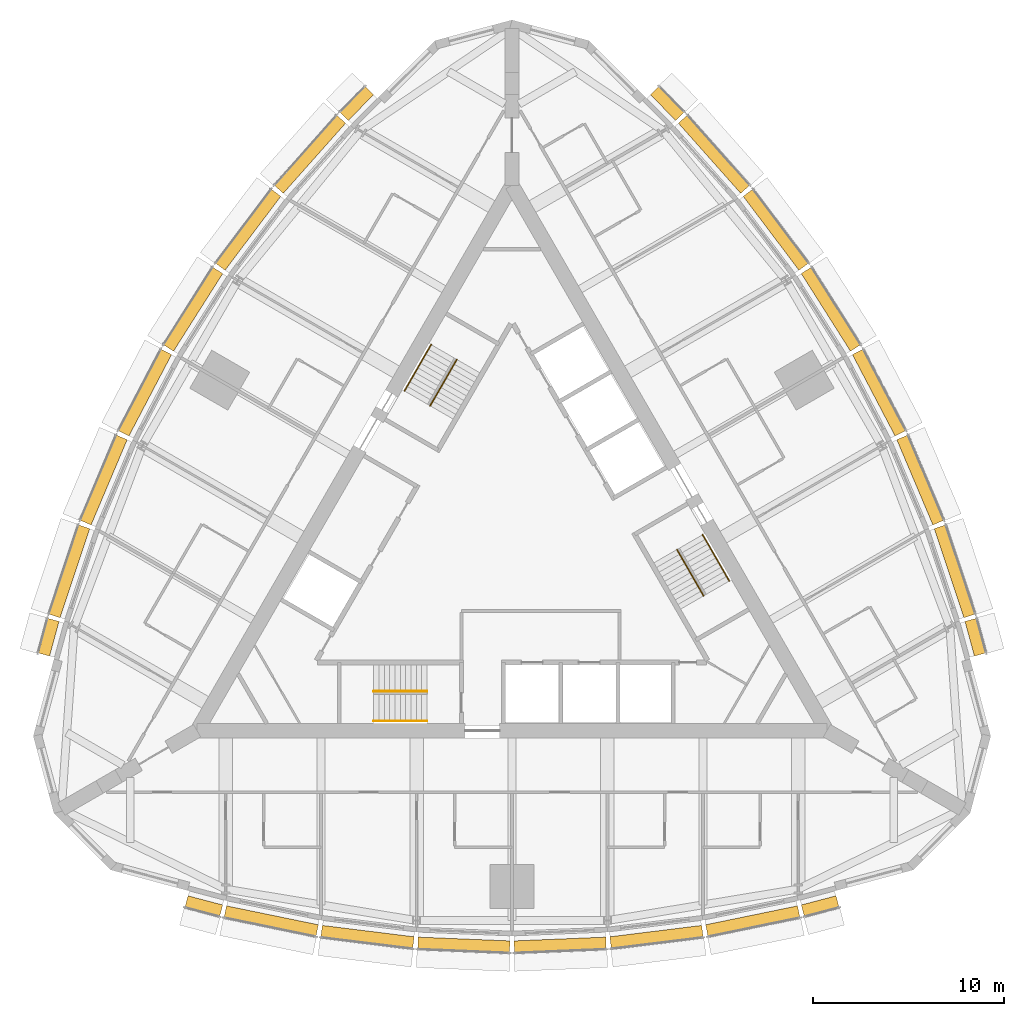
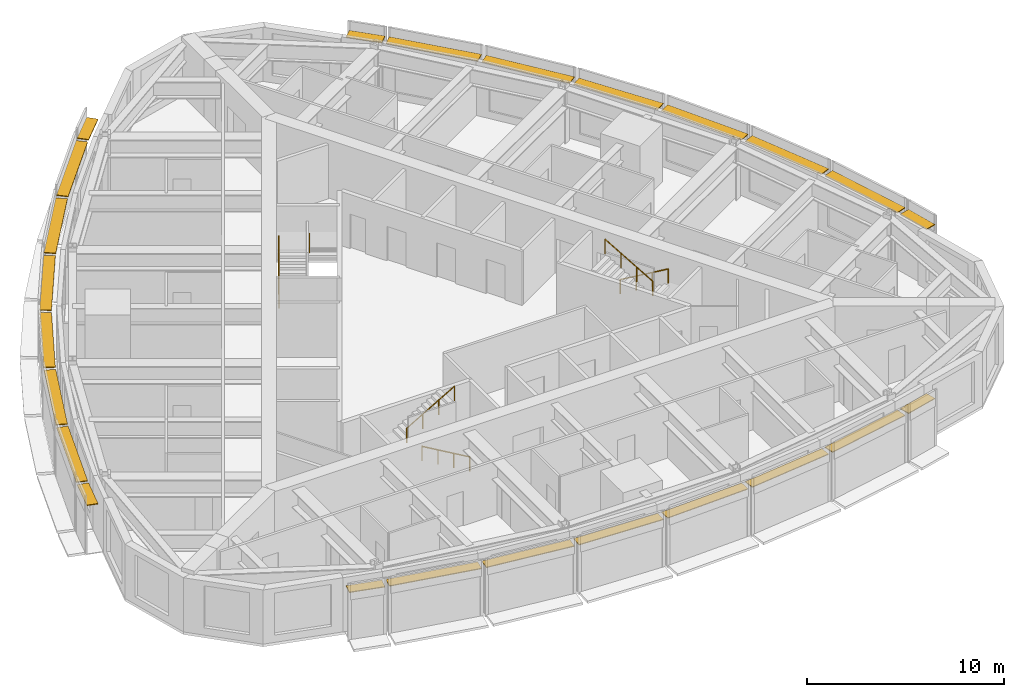
# One storey, part 15 of 15: 24 shading devices, 6 railings.
"""IFC4 building model written with IfcOpenShell, lengths in metres."""

from ifc_helpers import new_model, si_unit, direction, frame, origin, origin_2d, place, context, subcontext, project, spatial, rectangle, circle, extrude, material, type_object, element, save


model = new_model("IFC4")

# Units and contexts
model_context = context("Model", 3, precision=1e-05, world=origin(), true_north=direction((0.0, 1.0)))
body_context = subcontext(model_context, "Body", "Model", "MODEL_VIEW")
ifc_project = project(units=[si_unit("LENGTHUNIT", "METRE"), si_unit("AREAUNIT", "SQUARE_METRE"), si_unit("VOLUMEUNIT", "CUBIC_METRE"), si_unit("PLANEANGLEUNIT", "RADIAN"), si_unit("MASSUNIT", "GRAM", prefix="KILO")], contexts=[model_context])

# Site, building, storey
site_placement = place(None, origin())
site = spatial("IfcSite", under=ifc_project, at=site_placement, CompositionType="ELEMENT")
building_placement = place(site_placement, origin())
building = spatial("IfcBuilding", under=site, at=building_placement, Name="Trikona Tower", CompositionType="ELEMENT")
storey_placement = place(building_placement, frame((0.0, 0.0, 229.699951171875)))
storey = spatial("IfcBuildingStorey", under=building, at=storey_placement, Name="L61", CompositionType="ELEMENT", Elevation=229.699951171875)

# Shading devices
ifc_material_1 = material(Name="Aluminium louvre blade, pale anodised", Category="aluminium")
shading_device_type = type_object("IfcShadingDeviceType", Name="Cavity louvre 600", PredefinedType="USERDEFINED", material=ifc_material_1)
shading_device_1_placement = place(storey_placement, frame((-16.14404296875, -18.707763671875, 2.97509765625), z_axis=(0.0, 0.0, 1.0), x_axis=(0.966993038714, -0.254802792527, 0.0)))
element("IfcShadingDevice", 1, at=shading_device_1_placement, inside=storey, type_object=shading_device_type, Name="Cavity louvre L61-00", ObjectType="LOUVRE", PredefinedType="USERDEFINED", context=body_context, shape_type="SweptSolid", body=[
    extrude(rectangle(XDim=1.87841796875, YDim=0.60009765625, at=origin_2d()), origin(), (0.0, 0.0, 1.0), 0.050048828125),
])
shading_device_2_placement = place(storey_placement, frame((-12.614013671875, -19.492919921875, 2.97509765625), z_axis=(0.0, 0.0, 1.0), x_axis=(0.979457514864, -0.201650629992, 0.0)))
element("IfcShadingDevice", 2, at=shading_device_2_placement, inside=storey, type_object=shading_device_type, Name="Cavity louvre L61-01", ObjectType="LOUVRE", PredefinedType="USERDEFINED", context=body_context, shape_type="SweptSolid", body=[
    extrude(rectangle(XDim=4.914794921875, YDim=0.60009765625, at=origin_2d()), origin(), (0.0, 0.0, 1.0), 0.050048828125),
])
shading_device_3_placement = place(storey_placement, frame((-7.5693359375, -20.323974609375, 2.97509765625), z_axis=(0.0, 0.0, 1.0), x_axis=(0.992455266199, -0.122607277901, 0.0)))
element("IfcShadingDevice", 3, at=shading_device_3_placement, inside=storey, type_object=shading_device_type, Name="Cavity louvre L61-02", ObjectType="LOUVRE", PredefinedType="USERDEFINED", context=body_context, shape_type="SweptSolid", body=[
    extrude(rectangle(XDim=4.847900390625, YDim=0.60009765625, at=origin_2d()), origin(), (0.0, 0.0, 1.0), 0.050048828125),
])
for number, where, z_axis, x_axis, name in (
    (4, (-2.523193359375, -20.739501953125, 2.97509765625), (0.0, 0.0, 1.0), (0.999153186307, -0.041144991109, 0.0), "Cavity louvre L61-03"),
    (5, (2.523193359375, -20.739501953125, 2.97509765625), (0.0, 0.0, 1.0), (0.999153186307, 0.041144991109, 0.0), "Cavity louvre L61-04"),
):
    element("IfcShadingDevice", number, at=place(storey_placement, frame(where, z_axis=z_axis, x_axis=x_axis)), inside=storey, type_object=shading_device_type, Name=name, ObjectType="LOUVRE", PredefinedType="USERDEFINED", context=body_context, shape_type="SweptSolid", body=[
        extrude(rectangle(XDim=4.814208984375, YDim=0.60009765625, at=origin_2d()), origin(), (0.0, 0.0, 1.0), 0.050048828125),
    ])
shading_device_4_placement = place(storey_placement, frame((7.5693359375, -20.323974609375, 2.97509765625), z_axis=(0.0, 0.0, 1.0), x_axis=(0.992455266199, 0.122607277901, 0.0)))
element("IfcShadingDevice", 6, at=shading_device_4_placement, inside=storey, type_object=shading_device_type, Name="Cavity louvre L61-05", ObjectType="LOUVRE", PredefinedType="USERDEFINED", context=body_context, shape_type="SweptSolid", body=[
    extrude(rectangle(XDim=4.847900390625, YDim=0.60009765625, at=origin_2d()), origin(), (0.0, 0.0, 1.0), 0.050048828125),
])
shading_device_5_placement = place(storey_placement, frame((12.614013671875, -19.492919921875, 2.97509765625), z_axis=(0.0, 0.0, 1.0), x_axis=(0.979457514864, 0.201650629992, 0.0)))
element("IfcShadingDevice", 7, at=shading_device_5_placement, inside=storey, type_object=shading_device_type, Name="Cavity louvre L61-06", ObjectType="LOUVRE", PredefinedType="USERDEFINED", context=body_context, shape_type="SweptSolid", body=[
    extrude(rectangle(XDim=4.914794921875, YDim=0.60009765625, at=origin_2d()), origin(), (0.0, 0.0, 1.0), 0.050048828125),
])
for number, where, z_axis, x_axis, name in (
    (8, (16.14404296875, -18.707763671875, 2.97509765625), (0.0, 0.0, 1.0), (0.966993038714, 0.254802792527, 0.0), "Cavity louvre L61-07"),
    (9, (24.273193359375, -4.627197265625, 2.97509765625), (0.0, 0.0, 1.0), (-0.262822408229, 0.964844226667, 0.0), "Cavity louvre L61-12"),
):
    element("IfcShadingDevice", number, at=place(storey_placement, frame(where, z_axis=z_axis, x_axis=x_axis)), inside=storey, type_object=shading_device_type, Name=name, ObjectType="LOUVRE", PredefinedType="USERDEFINED", context=body_context, shape_type="SweptSolid", body=[
        extrude(rectangle(XDim=1.87841796875, YDim=0.60009765625, at=origin_2d()), origin(), (0.0, 0.0, 1.0), 0.050048828125),
    ])
shading_device_6_placement = place(storey_placement, frame((23.1884765625, -1.177490234375, 2.97509765625), z_axis=(0.0, 0.0, 1.0), x_axis=(-0.315092532747, 0.949060954737, 0.0)))
element("IfcShadingDevice", 10, at=shading_device_6_placement, inside=storey, type_object=shading_device_type, Name="Cavity louvre L61-13", ObjectType="LOUVRE", PredefinedType="USERDEFINED", context=body_context, shape_type="SweptSolid", body=[
    extrude(rectangle(XDim=4.914794921875, YDim=0.60009765625, at=origin_2d()), origin(), (0.0, 0.0, 1.0), 0.050048828125),
])
shading_device_7_placement = place(storey_placement, frame((21.385498046875, 3.606689453125, 2.97509765625), z_axis=(0.0, 0.0, 1.0), x_axis=(-0.390051437015, 0.920793069306, 0.0)))
element("IfcShadingDevice", 11, at=shading_device_7_placement, inside=storey, type_object=shading_device_type, Name="Cavity louvre L61-14", ObjectType="LOUVRE", PredefinedType="USERDEFINED", context=body_context, shape_type="SweptSolid", body=[
    extrude(rectangle(XDim=4.847900390625, YDim=0.60009765625, at=origin_2d()), origin(), (0.0, 0.0, 1.0), 0.050048828125),
])
for number, where, z_axis, x_axis, name in (
    (12, (19.222412109375, 8.1845703125, 2.97509765625), (0.0, 0.0, 1.0), (-0.463951716224, 0.885860488459, 0.0), "Cavity louvre L61-15"),
    (13, (16.69921875, 12.554931640625, 2.97509765625), (0.0, 0.0, 1.0), (-0.535204777743, 0.844722348397, 0.0), "Cavity louvre L61-16"),
):
    element("IfcShadingDevice", number, at=place(storey_placement, frame(where, z_axis=z_axis, x_axis=x_axis)), inside=storey, type_object=shading_device_type, Name=name, ObjectType="LOUVRE", PredefinedType="USERDEFINED", context=body_context, shape_type="SweptSolid", body=[
        extrude(rectangle(XDim=4.814208984375, YDim=0.60009765625, at=origin_2d()), origin(), (0.0, 0.0, 1.0), 0.050048828125),
    ])
shading_device_8_placement = place(storey_placement, frame((13.81640625, 16.717041015625, 2.97509765625), z_axis=(0.0, 0.0, 1.0), x_axis=(-0.602401684924, 0.798193090674, 0.0)))
element("IfcShadingDevice", 14, at=shading_device_8_placement, inside=storey, type_object=shading_device_type, Name="Cavity louvre L61-17", ObjectType="LOUVRE", PredefinedType="USERDEFINED", context=body_context, shape_type="SweptSolid", body=[
    extrude(rectangle(XDim=4.847900390625, YDim=0.60009765625, at=origin_2d()), origin(), (0.0, 0.0, 1.0), 0.050048828125),
])
shading_device_9_placement = place(storey_placement, frame((10.574462890625, 20.67041015625, 2.97509765625), z_axis=(0.0, 0.0, 1.0), x_axis=(-0.664367239113, 0.747406296196, 0.0)))
element("IfcShadingDevice", 15, at=shading_device_9_placement, inside=storey, type_object=shading_device_type, Name="Cavity louvre L61-18", ObjectType="LOUVRE", PredefinedType="USERDEFINED", context=body_context, shape_type="SweptSolid", body=[
    extrude(rectangle(XDim=4.914794921875, YDim=0.60009765625, at=origin_2d()), origin(), (0.0, 0.0, 1.0), 0.050048828125),
])
for number, where, z_axis, x_axis, name in (
    (16, (8.12939453125, 23.3349609375, 2.97509765625), (0.0, 0.0, 1.0), (-0.704151057285, 0.710050201412, 0.0), "Cavity louvre L61-19"),
    (17, (-8.12939453125, 23.3349609375, 2.97509765625), (0.0, 0.0, 1.0), (-0.704151057285, -0.710050201412, 0.0), "Cavity louvre L61-24"),
):
    element("IfcShadingDevice", number, at=place(storey_placement, frame(where, z_axis=z_axis, x_axis=x_axis)), inside=storey, type_object=shading_device_type, Name=name, ObjectType="LOUVRE", PredefinedType="USERDEFINED", context=body_context, shape_type="SweptSolid", body=[
        extrude(rectangle(XDim=1.87841796875, YDim=0.60009765625, at=origin_2d()), origin(), (0.0, 0.0, 1.0), 0.050048828125),
    ])
shading_device_10_placement = place(storey_placement, frame((-10.574462890625, 20.67041015625, 2.97509765625), z_axis=(0.0, 0.0, 1.0), x_axis=(-0.664367239113, -0.747406296196, 0.0)))
element("IfcShadingDevice", 18, at=shading_device_10_placement, inside=storey, type_object=shading_device_type, Name="Cavity louvre L61-25", ObjectType="LOUVRE", PredefinedType="USERDEFINED", context=body_context, shape_type="SweptSolid", body=[
    extrude(rectangle(XDim=4.914794921875, YDim=0.60009765625, at=origin_2d()), origin(), (0.0, 0.0, 1.0), 0.050048828125),
])
shading_device_11_placement = place(storey_placement, frame((-13.81640625, 16.717041015625, 2.97509765625), z_axis=(0.0, 0.0, 1.0), x_axis=(-0.602401684924, -0.798193090674, 0.0)))
element("IfcShadingDevice", 19, at=shading_device_11_placement, inside=storey, type_object=shading_device_type, Name="Cavity louvre L61-26", ObjectType="LOUVRE", PredefinedType="USERDEFINED", context=body_context, shape_type="SweptSolid", body=[
    extrude(rectangle(XDim=4.847900390625, YDim=0.60009765625, at=origin_2d()), origin(), (0.0, 0.0, 1.0), 0.050048828125),
])
for number, where, z_axis, x_axis, name in (
    (20, (-16.69921875, 12.554931640625, 2.97509765625), (0.0, 0.0, 1.0), (-0.535204777743, -0.844722348397, 0.0), "Cavity louvre L61-27"),
    (21, (-19.222412109375, 8.1845703125, 2.97509765625), (0.0, 0.0, 1.0), (-0.463951716224, -0.885860488459, 0.0), "Cavity louvre L61-28"),
):
    element("IfcShadingDevice", number, at=place(storey_placement, frame(where, z_axis=z_axis, x_axis=x_axis)), inside=storey, type_object=shading_device_type, Name=name, ObjectType="LOUVRE", PredefinedType="USERDEFINED", context=body_context, shape_type="SweptSolid", body=[
        extrude(rectangle(XDim=4.814208984375, YDim=0.60009765625, at=origin_2d()), origin(), (0.0, 0.0, 1.0), 0.050048828125),
    ])
shading_device_12_placement = place(storey_placement, frame((-21.385498046875, 3.606689453125, 2.97509765625), z_axis=(0.0, 0.0, 1.0), x_axis=(-0.390051437015, -0.920793069306, 0.0)))
element("IfcShadingDevice", 22, at=shading_device_12_placement, inside=storey, type_object=shading_device_type, Name="Cavity louvre L61-29", ObjectType="LOUVRE", PredefinedType="USERDEFINED", context=body_context, shape_type="SweptSolid", body=[
    extrude(rectangle(XDim=4.847900390625, YDim=0.60009765625, at=origin_2d()), origin(), (0.0, 0.0, 1.0), 0.050048828125),
])
shading_device_13_placement = place(storey_placement, frame((-23.1884765625, -1.177490234375, 2.97509765625), z_axis=(0.0, 0.0, 1.0), x_axis=(-0.315092532747, -0.949060954737, 0.0)))
element("IfcShadingDevice", 23, at=shading_device_13_placement, inside=storey, type_object=shading_device_type, Name="Cavity louvre L61-30", ObjectType="LOUVRE", PredefinedType="USERDEFINED", context=body_context, shape_type="SweptSolid", body=[
    extrude(rectangle(XDim=4.914794921875, YDim=0.60009765625, at=origin_2d()), origin(), (0.0, 0.0, 1.0), 0.050048828125),
])
shading_device_14_placement = place(storey_placement, frame((-24.273193359375, -4.627197265625, 2.97509765625), z_axis=(0.0, 0.0, 1.0), x_axis=(-0.262822408229, -0.964844226667, 0.0)))
element("IfcShadingDevice", 24, at=shading_device_14_placement, inside=storey, type_object=shading_device_type, Name="Cavity louvre L61-31", ObjectType="LOUVRE", PredefinedType="USERDEFINED", context=body_context, shape_type="SweptSolid", body=[
    extrude(rectangle(XDim=1.87841796875, YDim=0.60009765625, at=origin_2d()), origin(), (0.0, 0.0, 1.0), 0.050048828125),
])

# Railings
ifc_material_2 = material(Name="Stainless steel handrail", Category="steel")
railing_type = type_object("IfcRailingType", Name="Stair handrail", PredefinedType="HANDRAIL", material=ifc_material_2)
railing_1_placement = place(storey_placement, frame((-4.449951171875, -9.016357421875, 0.16357421875)))
element("IfcRailing", 25, at=railing_1_placement, inside=storey, type_object=railing_type, Name="Stair handrail A L61 1", PredefinedType="HANDRAIL", context=body_context, shape_type="SweptSolid", body=[
    extrude(circle(Radius=0.02392578125, at=origin_2d()), frame((0.0, 0.0, 0.8759765625), z_axis=(-0.863360870873, 0.0, 0.504586966384), x_axis=(0.0, -1.0, 0.0)), (0.0, 0.0, 1.0), 3.2431640625),
    extrude(circle(Radius=0.02099609375, at=origin_2d()), origin(), (0.0, 0.0, 1.0), 0.851806640625),
    extrude(circle(Radius=0.02099609375, at=origin_2d()), frame((-0.933349609375, 0.0, 0.54541015625)), (0.0, 0.0, 1.0), 0.851806640625),
    extrude(circle(Radius=0.02099609375, at=origin_2d()), frame((-1.86669921875, 0.0, 1.091064453125)), (0.0, 0.0, 1.0), 0.851806640625),
    extrude(circle(Radius=0.02099609375, at=origin_2d()), frame((-2.800048828125, 0.0, 1.636474609375)), (0.0, 0.0, 1.0), 0.851806640625),
])
railing_2_placement = place(storey_placement, frame((-7.25, -7.46630859375, 1.963623046875)))
element("IfcRailing", 26, at=railing_2_placement, inside=storey, type_object=railing_type, Name="Stair handrail A L61 2", PredefinedType="HANDRAIL", context=body_context, shape_type="SweptSolid", body=[
    extrude(circle(Radius=0.02392578125, at=origin_2d()), frame((0.0, 0.0, 0.8759765625), z_axis=(0.863360870873, 0.0, 0.504586966384), x_axis=(0.0, 1.0, 0.0)), (0.0, 0.0, 1.0), 3.2431640625),
    extrude(circle(Radius=0.02099609375, at=origin_2d()), origin(), (0.0, 0.0, 1.0), 0.851806640625),
    extrude(circle(Radius=0.02099609375, at=origin_2d()), frame((0.933349609375, 0.0, 0.54541015625)), (0.0, 0.0, 1.0), 0.851806640625),
    extrude(circle(Radius=0.02099609375, at=origin_2d()), frame((1.86669921875, 0.0, 1.091064453125)), (0.0, 0.0, 1.0), 0.851806640625),
    extrude(circle(Radius=0.02099609375, at=origin_2d()), frame((2.800048828125, 0.0, 1.636474609375)), (0.0, 0.0, 1.0), 0.851806640625),
])
railing_3_placement = place(storey_placement, frame((9.9833984375, 0.740966796875, 0.16357421875)))
element("IfcRailing", 27, at=railing_3_placement, inside=storey, type_object=railing_type, Name="Stair handrail B L61 1", PredefinedType="HANDRAIL", context=body_context, shape_type="SweptSolid", body=[
    extrude(circle(Radius=0.02392578125, at=origin_2d()), frame((0.0, 0.0, 0.8759765625), z_axis=(0.431636334334, -0.747723004699, 0.504579412111), x_axis=(0.866056369097, 0.49994636267, 0.0)), (0.0, 0.0, 1.0), 3.2431640625),
    extrude(circle(Radius=0.02099609375, at=origin_2d()), origin(), (0.0, 0.0, 1.0), 0.851806640625),
    extrude(circle(Radius=0.02099609375, at=origin_2d()), frame((0.466552734375, -0.808349609375, 0.54541015625)), (0.0, 0.0, 1.0), 0.851806640625),
    extrude(circle(Radius=0.02099609375, at=origin_2d()), frame((0.933349609375, -1.61669921875, 1.091064453125)), (0.0, 0.0, 1.0), 0.851806640625),
    extrude(circle(Radius=0.02099609375, at=origin_2d()), frame((1.39990234375, -2.425048828125, 1.636474609375)), (0.0, 0.0, 1.0), 0.851806640625),
])
railing_4_placement = place(storey_placement, frame((10.041015625, -2.458984375, 1.963623046875)))
element("IfcRailing", 28, at=railing_4_placement, inside=storey, type_object=railing_type, Name="Stair handrail B L61 2", PredefinedType="HANDRAIL", context=body_context, shape_type="SweptSolid", body=[
    extrude(circle(Radius=0.02392578125, at=origin_2d()), frame((0.0, 0.0, 0.8759765625), z_axis=(-0.431636334334, 0.747723004699, 0.504579412111), x_axis=(-0.866056369097, -0.49994636267, 0.0)), (0.0, 0.0, 1.0), 3.2431640625),
    extrude(circle(Radius=0.02099609375, at=origin_2d()), origin(), (0.0, 0.0, 1.0), 0.851806640625),
    extrude(circle(Radius=0.02099609375, at=origin_2d()), frame((-0.466552734375, 0.808349609375, 0.54541015625)), (0.0, 0.0, 1.0), 0.851806640625),
    extrude(circle(Radius=0.02099609375, at=origin_2d()), frame((-0.933349609375, 1.61669921875, 1.091064453125)), (0.0, 0.0, 1.0), 0.851806640625),
    extrude(circle(Radius=0.02099609375, at=origin_2d()), frame((-1.39990234375, 2.425048828125, 1.636474609375)), (0.0, 0.0, 1.0), 0.851806640625),
])
railing_5_placement = place(storey_placement, frame((-5.63330078125, 8.275390625, 0.16357421875)))
element("IfcRailing", 29, at=railing_5_placement, inside=storey, type_object=railing_type, Name="Stair handrail C L61 1", PredefinedType="HANDRAIL", context=body_context, shape_type="SweptSolid", body=[
    extrude(circle(Radius=0.02392578125, at=origin_2d()), frame((0.0, 0.0, 0.8759765625), z_axis=(0.431660630283, 0.747689811644, 0.504607813879), x_axis=(-0.866034573852, 0.49998411664, 0.0)), (0.0, 0.0, 1.0), 3.2431640625),
    extrude(circle(Radius=0.02099609375, at=origin_2d()), origin(), (0.0, 0.0, 1.0), 0.851806640625),
    extrude(circle(Radius=0.02099609375, at=origin_2d()), frame((0.466552734375, 0.808349609375, 0.54541015625)), (0.0, 0.0, 1.0), 0.851806640625),
    extrude(circle(Radius=0.02099609375, at=origin_2d()), frame((0.933349609375, 1.616455078125, 1.091064453125)), (0.0, 0.0, 1.0), 0.851806640625),
    extrude(circle(Radius=0.02099609375, at=origin_2d()), frame((1.39990234375, 2.4248046875, 1.636474609375)), (0.0, 0.0, 1.0), 0.851806640625),
])
railing_6_placement = place(storey_placement, frame((-2.89111328125, 9.92529296875, 1.963623046875)))
element("IfcRailing", 30, at=railing_6_placement, inside=storey, type_object=railing_type, Name="Stair handrail C L61 2", PredefinedType="HANDRAIL", context=body_context, shape_type="SweptSolid", body=[
    extrude(circle(Radius=0.02392578125, at=origin_2d()), frame((0.0, 0.0, 0.8759765625), z_axis=(-0.431636334334, -0.747723004699, 0.504579412111), x_axis=(0.866056369097, -0.49994636267, 0.0)), (0.0, 0.0, 1.0), 3.2431640625),
    extrude(circle(Radius=0.02099609375, at=origin_2d()), origin(), (0.0, 0.0, 1.0), 0.851806640625),
    extrude(circle(Radius=0.02099609375, at=origin_2d()), frame((-0.466552734375, -0.808349609375, 0.54541015625)), (0.0, 0.0, 1.0), 0.851806640625),
    extrude(circle(Radius=0.02099609375, at=origin_2d()), frame((-0.933349609375, -1.61669921875, 1.091064453125)), (0.0, 0.0, 1.0), 0.851806640625),
    extrude(circle(Radius=0.02099609375, at=origin_2d()), frame((-1.39990234375, -2.425048828125, 1.636474609375)), (0.0, 0.0, 1.0), 0.851806640625),
])

save(model, "model.ifc")
